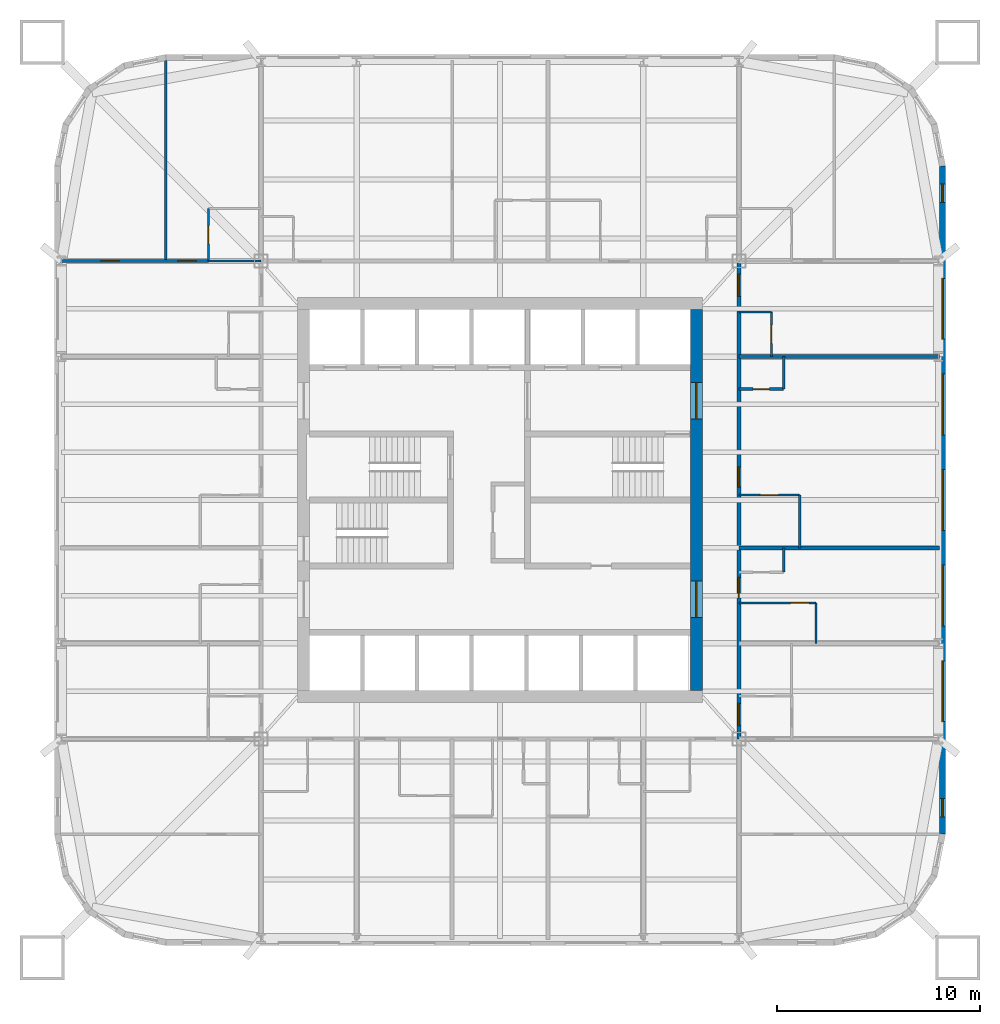
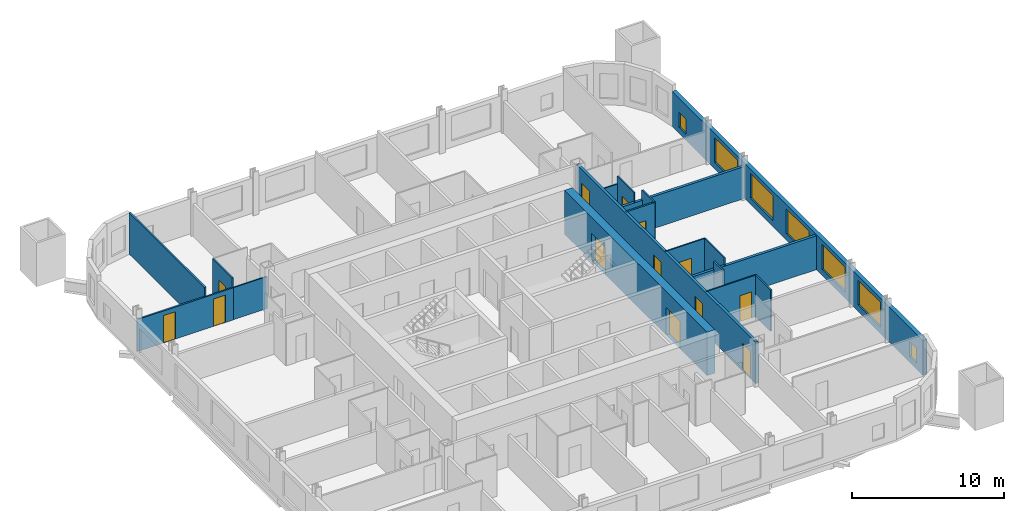
# One storey, part 6 of 9: 18 walls, 13 doors, 7 windows, 20 openings.
"""IFC4 building model written with IfcOpenShell, lengths in metres."""

from ifc_helpers import new_model, si_unit, direction, frame, frame_2d, origin, place, context, subcontext, project, spatial, rectangle, extrude, material, layer, layer_set, type_object, element, fill, save


model = new_model("IFC4")

# Units and contexts
model_context = context("Model", 3, precision=1e-05, world=origin(), true_north=direction((0.0, 1.0)))
body_context = subcontext(model_context, "Body", "Model", "MODEL_VIEW")
ifc_project = project(units=[si_unit("LENGTHUNIT", "METRE"), si_unit("AREAUNIT", "SQUARE_METRE"), si_unit("VOLUMEUNIT", "CUBIC_METRE"), si_unit("PLANEANGLEUNIT", "RADIAN"), si_unit("MASSUNIT", "GRAM", prefix="KILO")], contexts=[model_context])

# Site, building, storey
site_placement = place(None, origin())
site = spatial("IfcSite", under=ifc_project, at=site_placement, CompositionType="ELEMENT")
building_placement = place(site_placement, origin())
building = spatial("IfcBuilding", under=site, at=building_placement, Name="Turquesa Mirador Hotel Tower", CompositionType="ELEMENT")
storey_placement = place(building_placement, frame((0.0, 0.0, 74.0)))
storey = spatial("IfcBuildingStorey", under=building, at=storey_placement, Name="L19", CompositionType="ELEMENT", Elevation=74.0)

# Wall, opening, door
ifc_material_1 = material(Name="Gypsum board on steel studs", Category="steel")
ifc_layer_1 = layer(ifc_material_1, 0.10009765625)
ifc_layer_set_1 = layer_set([ifc_layer_1], Name="BATHROOM WALL 100")
wall_type_1 = type_object("IfcWallType", Name="BATHROOM WALL 100", PredefinedType="PARTITIONING", material=ifc_layer_set_1)
wall_1_placement = place(storey_placement, frame((66.800048828125, 39.919921875, 0.0), z_axis=(0.0, 0.0, 1.0), x_axis=(1.0, 0.0, 0.0)))
wall_1 = element("IfcWall", 1, at=wall_1_placement, inside=storey, type_object=wall_type_1, Name="Partition L19 017", PredefinedType="PARTITIONING", context=body_context, shape_type="SweptSolid", body=[
    extrude(rectangle(XDim=3.800048828125, YDim=0.10009765625, at=frame_2d((1.89990234375, 0.0))), origin(), (0.0, 0.0, 1.0), 3.330078125),
])
opening_1_placement = place(wall_1_placement, frame((2.550048828125, 0.0, 0.0)))
opening_1 = element("IfcOpeningElement", 2, at=opening_1_placement, cuts=wall_1, Name="Opening D02", PredefinedType="OPENING", context=body_context, shape_type="SweptSolid", body=[
    extrude(rectangle(XDim=0.89990234375, YDim=2.10009765625, at=frame_2d((0.449951171875, 1.050048828125))), frame((0.0, 0.06005859375, 0.0), z_axis=(0.0, -1.0, 0.0), x_axis=(1.0, 0.0, 0.0)), (0.0, 0.0, 1.0), 0.1201171875),
])
ifc_material_2 = material(Name="Timber veneered door", Category="wood")
door_type_1 = type_object("IfcDoorType", Name="DOOR 900X2100 EN-SUITE", OperationType="SINGLE_SWING_RIGHT", PredefinedType="DOOR", material=ifc_material_2)
door_1_placement = place(opening_1_placement, origin())
door_1 = element("IfcDoor", 3, at=door_1_placement, inside=storey, type_object=door_type_1, Name="Door 1908B", OperationType="SINGLE_SWING_RIGHT", OverallHeight=2.10009765625, OverallWidth=0.89990234375, PredefinedType="DOOR", context=body_context, shape_type="SweptSolid", body=[
    extrude(rectangle(XDim=0.89990234375, YDim=2.10009765625, at=frame_2d((0.449951171875, 1.050048828125))), frame((0.0, 0.02490234375, 0.0), z_axis=(0.0, -1.0, 0.0), x_axis=(1.0, 0.0, 0.0)), (0.0, 0.0, 1.0), 0.050048828125),
])
fill(opening_1, door_1)

wall_2_placement = place(storey_placement, frame((66.800048828125, 45.239990234375, 0.0), z_axis=(0.0, 0.0, 1.0), x_axis=(1.0, 0.0, 0.0)))
wall_2 = element("IfcWall", 4, at=wall_2_placement, inside=storey, type_object=wall_type_1, Name="Partition L19 023", PredefinedType="PARTITIONING", context=body_context, shape_type="SweptSolid", body=[
    extrude(rectangle(XDim=3.0, YDim=0.10009765625, at=frame_2d((1.5, 0.0))), origin(), (0.0, 0.0, 1.0), 3.330078125),
])
opening_2_placement = place(wall_2_placement, frame((1.050048828125, 0.0, 0.0)))
opening_2 = element("IfcOpeningElement", 5, at=opening_2_placement, cuts=wall_2, Name="Opening D02", PredefinedType="OPENING", context=body_context, shape_type="SweptSolid", body=[
    extrude(rectangle(XDim=0.89990234375, YDim=2.10009765625, at=frame_2d((0.449951171875, 1.050048828125))), frame((0.0, 0.06005859375, 0.0), z_axis=(0.0, -1.0, 0.0), x_axis=(1.0, 0.0, 0.0)), (0.0, 0.0, 1.0), 0.1201171875),
])
door_2_placement = place(opening_2_placement, origin())
door_2 = element("IfcDoor", 6, at=door_2_placement, inside=storey, type_object=door_type_1, Name="Door 1909B", OperationType="SINGLE_SWING_RIGHT", OverallHeight=2.10009765625, OverallWidth=0.89990234375, PredefinedType="DOOR", context=body_context, shape_type="SweptSolid", body=[
    extrude(rectangle(XDim=0.89990234375, YDim=2.10009765625, at=frame_2d((0.449951171875, 1.050048828125))), frame((0.0, 0.02490234375, 0.0), z_axis=(0.0, -1.0, 0.0), x_axis=(1.0, 0.0, 0.0)), (0.0, 0.0, 1.0), 0.050048828125),
])
fill(opening_2, door_2)

# Walls
wall_3_placement = place(storey_placement, frame((40.60009765625, 56.800048828125, 0.0), z_axis=(0.0, 0.0, 1.0), x_axis=(1.0, 0.0, 0.0)))
element("IfcWall", 7, at=wall_3_placement, inside=storey, type_object=wall_type_1, Name="Partition L19 024", PredefinedType="PARTITIONING", context=body_context, shape_type="SweptSolid", body=[
    extrude(rectangle(XDim=2.599853515625, YDim=0.10009765625, at=frame_2d((1.2998046875, 0.0))), origin(), (0.0, 0.0, 1.0), 2.572998046875),
])
wall_4_placement = place(storey_placement, frame((66.800048828125, 54.280029296875, 0.0), z_axis=(0.0, 0.0, 1.0), x_axis=(1.0, 0.0, 0.0)))
element("IfcWall", 8, at=wall_4_placement, inside=storey, type_object=wall_type_1, Name="Partition L19 039", PredefinedType="PARTITIONING", context=body_context, shape_type="SweptSolid", body=[
    extrude(rectangle(XDim=1.599853515625, YDim=0.10009765625, at=frame_2d((0.7998046875, 0.0))), origin(), (0.0, 0.0, 1.0), 2.722900390625),
])

# Wall, opening, door
wall_5_placement = place(storey_placement, frame((40.60009765625, 56.800048828125, 0.0), z_axis=(0.0, 0.0, 1.0), x_axis=(0.0, 1.0, 0.0)))
wall_5 = element("IfcWall", 9, at=wall_5_placement, inside=storey, type_object=wall_type_1, Name="Partition L19 049", PredefinedType="PARTITIONING", context=body_context, shape_type="SweptSolid", body=[
    extrude(rectangle(XDim=2.599853515625, YDim=0.10009765625, at=frame_2d((1.2998046875, 0.0))), origin(), (0.0, 0.0, 1.0), 3.330078125),
])
opening_3_placement = place(wall_5_placement, frame((0.85009765625, 0.0, 0.0)))
opening_3 = element("IfcOpeningElement", 10, at=opening_3_placement, cuts=wall_5, Name="Opening D02", PredefinedType="OPENING", context=body_context, shape_type="SweptSolid", body=[
    extrude(rectangle(XDim=0.89990234375, YDim=2.10009765625, at=frame_2d((0.449951171875, 1.050048828125))), frame((0.0, 0.06005859375, 0.0), z_axis=(0.0, -1.0, 0.0), x_axis=(1.0, 0.0, 0.0)), (0.0, 0.0, 1.0), 0.1201171875),
])
door_3_placement = place(opening_3_placement, origin())
door_3 = element("IfcDoor", 11, at=door_3_placement, inside=storey, type_object=door_type_1, Name="Door 1913B", OperationType="SINGLE_SWING_RIGHT", OverallHeight=2.10009765625, OverallWidth=0.89990234375, PredefinedType="DOOR", context=body_context, shape_type="SweptSolid", body=[
    extrude(rectangle(XDim=0.89990234375, YDim=2.10009765625, at=frame_2d((0.449951171875, 1.050048828125))), frame((0.0, 0.02490234375, 0.0), z_axis=(0.0, -1.0, 0.0), x_axis=(1.0, 0.0, 0.0)), (0.0, 0.0, 1.0), 0.050048828125),
])
fill(opening_3, door_3)

wall_6_placement = place(storey_placement, frame((68.39990234375, 52.080078125, 0.0), z_axis=(0.0, 0.0, 1.0), x_axis=(0.0, 1.0, 0.0)))
wall_6 = element("IfcWall", 12, at=wall_6_placement, inside=storey, type_object=wall_type_1, Name="Partition L19 064", PredefinedType="PARTITIONING", context=body_context, shape_type="SweptSolid", body=[
    extrude(rectangle(XDim=2.199951171875, YDim=0.10009765625, at=frame_2d((1.10009765625, 0.0))), origin(), (0.0, 0.0, 1.0), 3.330078125),
])
opening_4_placement = place(wall_6_placement, frame((0.64990234375, 0.0, 0.0)))
opening_4 = element("IfcOpeningElement", 13, at=opening_4_placement, cuts=wall_6, Name="Opening D06", PredefinedType="OPENING", context=body_context, shape_type="SweptSolid", body=[
    extrude(rectangle(XDim=0.89990234375, YDim=2.10009765625, at=frame_2d((0.449951171875, 1.050048828125))), frame((0.0, 0.06005859375, 0.0), z_axis=(0.0, -1.0, 0.0), x_axis=(1.0, 0.0, 0.0)), (0.0, 0.0, 1.0), 0.1201171875),
])
ifc_material_3 = material(Name="Laminate door", Category="wood")
door_type_2 = type_object("IfcDoorType", Name="DOOR 900X2100 WC", OperationType="SINGLE_SWING_LEFT", PredefinedType="DOOR", material=ifc_material_3)
door_4_placement = place(opening_4_placement, origin())
door_4 = element("IfcDoor", 14, at=door_4_placement, inside=storey, type_object=door_type_2, Name="Door 1912W", OperationType="SINGLE_SWING_LEFT", OverallHeight=2.10009765625, OverallWidth=0.89990234375, PredefinedType="DOOR", context=body_context, shape_type="SweptSolid", body=[
    extrude(rectangle(XDim=0.89990234375, YDim=2.10009765625, at=frame_2d((0.449951171875, 1.050048828125))), frame((0.0, 0.02490234375, 0.0), z_axis=(0.0, -1.0, 0.0), x_axis=(1.0, 0.0, 0.0)), (0.0, 0.0, 1.0), 0.050048828125),
])
fill(opening_4, door_4)

# Walls
wall_7_placement = place(storey_placement, frame((69.800048828125, 42.639892578125, 0.0), z_axis=(0.0, 0.0, 1.0), x_axis=(0.0, 1.0, 0.0)))
element("IfcWall", 15, at=wall_7_placement, inside=storey, type_object=wall_type_1, Name="Partition L19 070", PredefinedType="PARTITIONING", context=body_context, shape_type="SweptSolid", body=[
    extrude(rectangle(XDim=2.60009765625, YDim=0.10009765625, at=frame_2d((1.300048828125, 0.0))), origin(), (0.0, 0.0, 1.0), 3.330078125),
])
wall_8_placement = place(storey_placement, frame((70.60009765625, 37.919921875, 0.0), z_axis=(0.0, 0.0, 1.0), x_axis=(0.0, 1.0, 0.0)))
element("IfcWall", 16, at=wall_8_placement, inside=storey, type_object=wall_type_1, Name="Partition L19 071", PredefinedType="PARTITIONING", context=body_context, shape_type="SweptSolid", body=[
    extrude(rectangle(XDim=2.0, YDim=0.10009765625, at=frame_2d((1.0, 0.0))), origin(), (0.0, 0.0, 1.0), 3.330078125),
])

# Wall, openings, doors
ifc_material_4 = material(Name="Concrete C50/60", Category="concrete")
ifc_layer_2 = layer(ifc_material_4, 0.60009765625)
ifc_layer_set_2 = layer_set([ifc_layer_2], Name="CORE WALL 600")
wall_type_2 = type_object("IfcWallType", Name="CORE WALL 600", PredefinedType="SHEAR", material=ifc_layer_set_2)
wall_9_placement = place(storey_placement, frame((64.699951171875, 35.60009765625, 0.0), z_axis=(0.0, 0.0, 1.0), x_axis=(0.0, 1.0, 0.0)))
wall_9 = element("IfcWall", 17, at=wall_9_placement, inside=storey, type_object=wall_type_2, Name="Core wall E", PredefinedType="SHEAR", context=body_context, shape_type="SweptSolid", body=[
    extrude(rectangle(XDim=18.7998046875, YDim=0.60009765625, at=frame_2d((9.39990234375, 0.0))), origin(), (0.0, 0.0, 1.0), 3.5),
])
opening_5_placement = place(wall_9_placement, frame((13.39990234375, 0.0, 0.0)))
opening_5 = element("IfcOpeningElement", 18, at=opening_5_placement, cuts=wall_9, Name="Opening D04", PredefinedType="OPENING", context=body_context, shape_type="SweptSolid", body=[
    extrude(rectangle(XDim=1.800048828125, YDim=2.199951171875, at=frame_2d((0.89990234375, 1.10009765625))), frame((0.0, 0.31005859375, 0.0), z_axis=(0.0, -1.0, 0.0), x_axis=(1.0, 0.0, 0.0)), (0.0, 0.0, 1.0), 0.6201171875),
])
opening_6_placement = place(wall_9_placement, frame((3.60009765625, 0.0, 0.0)))
opening_6 = element("IfcOpeningElement", 19, at=opening_6_placement, cuts=wall_9, Name="Opening D04", PredefinedType="OPENING", context=body_context, shape_type="SweptSolid", body=[
    extrude(rectangle(XDim=1.800048828125, YDim=2.199951171875, at=frame_2d((0.89990234375, 1.10009765625))), frame((0.0, 0.31005859375, 0.0), z_axis=(0.0, -1.0, 0.0), x_axis=(1.0, 0.0, 0.0)), (0.0, 0.0, 1.0), 0.6201171875),
])
ifc_material_5 = material(Name="Steel fire door pair", Category="steel")
door_type_3 = type_object("IfcDoorType", Name="DOOR 1800X2200 PAIR", OperationType="DOUBLE_DOOR_SINGLE_SWING", PredefinedType="DOOR", material=ifc_material_5)
door_5_placement = place(opening_5_placement, origin())
door_5 = element("IfcDoor", 20, at=door_5_placement, inside=storey, type_object=door_type_3, Name="Firefighting lobby door", OperationType="DOUBLE_DOOR_SINGLE_SWING", OverallHeight=2.199951171875, OverallWidth=1.800048828125, PredefinedType="DOOR", context=body_context, shape_type="SweptSolid", body=[
    extrude(rectangle(XDim=1.800048828125, YDim=2.199951171875, at=frame_2d((0.89990234375, 1.10009765625))), frame((0.0, 0.02490234375, 0.0), z_axis=(0.0, -1.0, 0.0), x_axis=(1.0, 0.0, 0.0)), (0.0, 0.0, 1.0), 0.050048828125),
])
fill(opening_5, door_5)
door_6_placement = place(opening_6_placement, origin())
door_6 = element("IfcDoor", 21, at=door_6_placement, inside=storey, type_object=door_type_3, Name="South lift lobby door", OperationType="DOUBLE_DOOR_SINGLE_SWING", OverallHeight=2.199951171875, OverallWidth=1.800048828125, PredefinedType="DOOR", context=body_context, shape_type="SweptSolid", body=[
    extrude(rectangle(XDim=1.800048828125, YDim=2.199951171875, at=frame_2d((0.89990234375, 1.10009765625))), frame((0.0, 0.02490234375, 0.0), z_axis=(0.0, -1.0, 0.0), x_axis=(1.0, 0.0, 0.0)), (0.0, 0.0, 1.0), 0.050048828125),
])
fill(opening_6, door_6)

ifc_material_6 = material(Name="Fire-rated gypsum board on steel studs", Category="steel")
ifc_layer_3 = layer(ifc_material_6, 0.199951171875)
ifc_layer_set_3 = layer_set([ifc_layer_3], Name="CORRIDOR WALL 200")
wall_type_3 = type_object("IfcWallType", Name="CORRIDOR WALL 200", PredefinedType="PARTITIONING", material=ifc_layer_set_3)
wall_10_placement = place(storey_placement, frame((66.800048828125, 33.199951171875, 0.0), z_axis=(0.0, 0.0, 1.0), x_axis=(0.0, 1.0, 0.0)))
wall_10 = element("IfcWall", 22, at=wall_10_placement, inside=storey, type_object=wall_type_3, Name="Partition L19 061", PredefinedType="PARTITIONING", context=body_context, shape_type="SweptSolid", body=[
    extrude(rectangle(XDim=23.60009765625, YDim=0.199951171875, at=frame_2d((11.800048828125, 0.0))), origin(), (0.0, 0.0, 1.0), 3.330078125),
])
opening_7_placement = place(wall_10_placement, frame((6.97998046875, 0.0, 0.0)))
opening_7 = element("IfcOpeningElement", 23, at=opening_7_placement, cuts=wall_10, Name="Opening D01", PredefinedType="OPENING", context=body_context, shape_type="SweptSolid", body=[
    extrude(rectangle(XDim=1.0, YDim=2.199951171875, at=frame_2d((0.5, 1.10009765625))), frame((0.0, 0.10986328125, 0.0), z_axis=(0.0, -1.0, 0.0), x_axis=(1.0, 0.0, 0.0)), (0.0, 0.0, 1.0), 0.219970703125),
])
opening_8_placement = place(wall_10_placement, frame((12.43994140625, 0.0, 0.0)))
opening_8 = element("IfcOpeningElement", 24, at=opening_8_placement, cuts=wall_10, Name="Opening D01", PredefinedType="OPENING", context=body_context, shape_type="SweptSolid", body=[
    extrude(rectangle(XDim=1.0, YDim=2.199951171875, at=frame_2d((0.5, 1.10009765625))), frame((0.0, 0.10986328125, 0.0), z_axis=(0.0, -1.0, 0.0), x_axis=(1.0, 0.0, 0.0)), (0.0, 0.0, 1.0), 0.219970703125),
])
opening_9_placement = place(wall_10_placement, frame((21.85009765625, 0.0, 0.0)))
opening_9 = element("IfcOpeningElement", 25, at=opening_9_placement, cuts=wall_10, Name="Opening D15", PredefinedType="OPENING", context=body_context, shape_type="SweptSolid", body=[
    extrude(rectangle(XDim=1.10009765625, YDim=2.199951171875, at=frame_2d((0.550048828125, 1.10009765625))), frame((0.0, 0.10986328125, 0.0), z_axis=(0.0, -1.0, 0.0), x_axis=(1.0, 0.0, 0.0)), (0.0, 0.0, 1.0), 0.219970703125),
])
opening_10_placement = place(wall_10_placement, frame((0.659912109375, 0.0, 0.0)))
opening_10 = element("IfcOpeningElement", 26, at=opening_10_placement, cuts=wall_10, Name="Opening D15", PredefinedType="OPENING", context=body_context, shape_type="SweptSolid", body=[
    extrude(rectangle(XDim=1.10009765625, YDim=2.199951171875, at=frame_2d((0.550048828125, 1.10009765625))), frame((0.0, 0.10986328125, 0.0), z_axis=(0.0, -1.0, 0.0), x_axis=(1.0, 0.0, 0.0)), (0.0, 0.0, 1.0), 0.219970703125),
])
ifc_material_7 = material(Name="Timber veneered fire door", Category="wood")
door_type_4 = type_object("IfcDoorType", Name="DOOR 1000X2200 GUEST ENTRY", OperationType="SINGLE_SWING_LEFT", PredefinedType="DOOR", material=ifc_material_7)
door_7_placement = place(opening_7_placement, origin())
door_7 = element("IfcDoor", 27, at=door_7_placement, inside=storey, type_object=door_type_4, Name="Door 1908", OperationType="SINGLE_SWING_LEFT", OverallHeight=2.199951171875, OverallWidth=1.0, PredefinedType="DOOR", context=body_context, shape_type="SweptSolid", body=[
    extrude(rectangle(XDim=1.0, YDim=2.199951171875, at=frame_2d((0.5, 1.10009765625))), frame((0.0, 0.02490234375, 0.0), z_axis=(0.0, -1.0, 0.0), x_axis=(1.0, 0.0, 0.0)), (0.0, 0.0, 1.0), 0.050048828125),
])
fill(opening_7, door_7)
door_8_placement = place(opening_8_placement, origin())
door_8 = element("IfcDoor", 28, at=door_8_placement, inside=storey, type_object=door_type_4, Name="Door 1909", OperationType="SINGLE_SWING_LEFT", OverallHeight=2.199951171875, OverallWidth=1.0, PredefinedType="DOOR", context=body_context, shape_type="SweptSolid", body=[
    extrude(rectangle(XDim=1.0, YDim=2.199951171875, at=frame_2d((0.5, 1.10009765625))), frame((0.0, 0.02490234375, 0.0), z_axis=(0.0, -1.0, 0.0), x_axis=(1.0, 0.0, 0.0)), (0.0, 0.0, 1.0), 0.050048828125),
])
fill(opening_8, door_8)
ifc_material_8 = material(Name="Timber veneered fire door", Category="wood")
door_type_5 = type_object("IfcDoorType", Name="DOOR 1100X2200 SUITE ENTRY", OperationType="SINGLE_SWING_LEFT", PredefinedType="DOOR", material=ifc_material_8)
door_9_placement = place(opening_9_placement, origin())
door_9 = element("IfcDoor", 29, at=door_9_placement, inside=storey, type_object=door_type_5, Name="Door 1912", OperationType="SINGLE_SWING_LEFT", OverallHeight=2.199951171875, OverallWidth=1.10009765625, PredefinedType="DOOR", context=body_context, shape_type="SweptSolid", body=[
    extrude(rectangle(XDim=1.10009765625, YDim=2.199951171875, at=frame_2d((0.550048828125, 1.10009765625))), frame((0.0, 0.02490234375, 0.0), z_axis=(0.0, -1.0, 0.0), x_axis=(1.0, 0.0, 0.0)), (0.0, 0.0, 1.0), 0.050048828125),
])
fill(opening_9, door_9)
door_10_placement = place(opening_10_placement, origin())
door_10 = element("IfcDoor", 30, at=door_10_placement, inside=storey, type_object=door_type_5, Name="Door 1915H", OperationType="SINGLE_SWING_LEFT", OverallHeight=2.199951171875, OverallWidth=1.10009765625, PredefinedType="DOOR", context=body_context, shape_type="SweptSolid", body=[
    extrude(rectangle(XDim=1.10009765625, YDim=2.199951171875, at=frame_2d((0.550048828125, 1.10009765625))), frame((0.0, 0.02490234375, 0.0), z_axis=(0.0, -1.0, 0.0), x_axis=(1.0, 0.0, 0.0)), (0.0, 0.0, 1.0), 0.050048828125),
])
fill(opening_10, door_10)

# Wall, openings, windows
ifc_material_9 = material(Name="Limestone cladding on concrete block", Category="masonry")
ifc_layer_4 = layer(ifc_material_9, 0.300048828125)
ifc_layer_set_4 = layer_set([ifc_layer_4], Name="FACADE WALL 300 STONE SCREEN")
wall_type_4 = type_object("IfcWallType", Name="FACADE WALL 300 STONE SCREEN", PredefinedType="SOLIDWALL", material=ifc_layer_set_4)
wall_11_placement = place(storey_placement, frame((76.85009765625, 28.5, 0.0), z_axis=(0.0, 0.0, 1.0), x_axis=(0.0, 1.0, 0.0)))
wall_11 = element("IfcWall", 31, at=wall_11_placement, inside=storey, type_object=wall_type_4, Name="Facade wall L19 04", PredefinedType="SOLIDWALL", context=body_context, shape_type="SweptSolid", body=[
    extrude(rectangle(XDim=33.0, YDim=0.300048828125, at=frame_2d((16.5, 0.0))), origin(), (0.0, 0.0, 1.0), 2.830078125),
])
opening_11_placement = place(wall_11_placement, frame((0.85009765625, 0.0, 0.5)))
opening_11 = element("IfcOpeningElement", 32, at=opening_11_placement, cuts=wall_11, Name="Opening WN36", PredefinedType="OPENING", context=body_context, shape_type="SweptSolid", body=[
    extrude(rectangle(XDim=0.89990234375, YDim=1.199951171875, at=frame_2d((0.449951171875, 0.60009765625))), frame((0.0, 0.159912109375, 0.0), z_axis=(0.0, -1.0, 0.0), x_axis=(1.0, 0.0, 0.0)), (0.0, 0.0, 1.0), 0.320068359375),
])
opening_12_placement = place(wall_11_placement, frame((5.56005859375, 0.0, 0.5)))
opening_12 = element("IfcOpeningElement", 33, at=opening_12_placement, cuts=wall_11, Name="Opening WN1", PredefinedType="OPENING", context=body_context, shape_type="SweptSolid", body=[
    extrude(rectangle(XDim=3.0, YDim=2.0, at=frame_2d((1.5, 1.0))), frame((0.0, 0.159912109375, 0.0), z_axis=(0.0, -1.0, 0.0), x_axis=(1.0, 0.0, 0.0)), (0.0, 0.0, 1.0), 0.320068359375),
])
opening_13_placement = place(wall_11_placement, frame((10.280029296875, 0.0, 0.5)))
opening_13 = element("IfcOpeningElement", 34, at=opening_13_placement, cuts=wall_11, Name="Opening WN1", PredefinedType="OPENING", context=body_context, shape_type="SweptSolid", body=[
    extrude(rectangle(XDim=3.0, YDim=2.0, at=frame_2d((1.5, 1.0))), frame((0.0, 0.159912109375, 0.0), z_axis=(0.0, -1.0, 0.0), x_axis=(1.0, 0.0, 0.0)), (0.0, 0.0, 1.0), 0.320068359375),
])
opening_14_placement = place(wall_11_placement, frame((15.0, 0.0, 0.5)))
opening_14 = element("IfcOpeningElement", 35, at=opening_14_placement, cuts=wall_11, Name="Opening WN1", PredefinedType="OPENING", context=body_context, shape_type="SweptSolid", body=[
    extrude(rectangle(XDim=3.0, YDim=2.0, at=frame_2d((1.5, 1.0))), frame((0.0, 0.159912109375, 0.0), z_axis=(0.0, -1.0, 0.0), x_axis=(1.0, 0.0, 0.0)), (0.0, 0.0, 1.0), 0.320068359375),
])
opening_15_placement = place(wall_11_placement, frame((19.719970703125, 0.0, 0.5)))
opening_15 = element("IfcOpeningElement", 36, at=opening_15_placement, cuts=wall_11, Name="Opening WN1", PredefinedType="OPENING", context=body_context, shape_type="SweptSolid", body=[
    extrude(rectangle(XDim=3.0, YDim=2.0, at=frame_2d((1.5, 1.0))), frame((0.0, 0.159912109375, 0.0), z_axis=(0.0, -1.0, 0.0), x_axis=(1.0, 0.0, 0.0)), (0.0, 0.0, 1.0), 0.320068359375),
])
opening_16_placement = place(wall_11_placement, frame((24.43994140625, 0.0, 0.5)))
opening_16 = element("IfcOpeningElement", 37, at=opening_16_placement, cuts=wall_11, Name="Opening WN1", PredefinedType="OPENING", context=body_context, shape_type="SweptSolid", body=[
    extrude(rectangle(XDim=3.0, YDim=2.0, at=frame_2d((1.5, 1.0))), frame((0.0, 0.159912109375, 0.0), z_axis=(0.0, -1.0, 0.0), x_axis=(1.0, 0.0, 0.0)), (0.0, 0.0, 1.0), 0.320068359375),
])
opening_17_placement = place(wall_11_placement, frame((31.199951171875, 0.0, 0.5)))
opening_17 = element("IfcOpeningElement", 38, at=opening_17_placement, cuts=wall_11, Name="Opening WN36", PredefinedType="OPENING", context=body_context, shape_type="SweptSolid", body=[
    extrude(rectangle(XDim=0.89990234375, YDim=1.199951171875, at=frame_2d((0.449951171875, 0.60009765625))), frame((0.0, 0.159912109375, 0.0), z_axis=(0.0, -1.0, 0.0), x_axis=(1.0, 0.0, 0.0)), (0.0, 0.0, 1.0), 0.320068359375),
])
ifc_material_10 = material(Name="Ceramic-fritted laminated glass", Category="glass")
window_type_1 = type_object("IfcWindowType", Name="FRITTED WINDOW 3000X2000", PartitioningType="DOUBLE_PANEL_HORIZONTAL", PredefinedType="WINDOW", material=ifc_material_10)
window_1_placement = place(opening_12_placement, origin())
window_1 = element("IfcWindow", 39, at=window_1_placement, inside=storey, type_object=window_type_1, Name="Window L19", OverallHeight=2.0, OverallWidth=3.0, PartitioningType="SINGLE_PANEL", PredefinedType="WINDOW", context=body_context, shape_type="SweptSolid", body=[
    extrude(rectangle(XDim=3.0, YDim=2.0, at=frame_2d((1.5, 1.0))), frame((0.0, 0.030029296875, 0.0), z_axis=(0.0, -1.0, 0.0), x_axis=(1.0, 0.0, 0.0)), (0.0, 0.0, 1.0), 0.06005859375),
])
fill(opening_12, window_1)
window_2_placement = place(opening_13_placement, origin())
window_2 = element("IfcWindow", 40, at=window_2_placement, inside=storey, type_object=window_type_1, Name="Window L19", OverallHeight=2.0, OverallWidth=3.0, PartitioningType="SINGLE_PANEL", PredefinedType="WINDOW", context=body_context, shape_type="SweptSolid", body=[
    extrude(rectangle(XDim=3.0, YDim=2.0, at=frame_2d((1.5, 1.0))), frame((0.0, 0.030029296875, 0.0), z_axis=(0.0, -1.0, 0.0), x_axis=(1.0, 0.0, 0.0)), (0.0, 0.0, 1.0), 0.06005859375),
])
fill(opening_13, window_2)
window_3_placement = place(opening_14_placement, origin())
window_3 = element("IfcWindow", 41, at=window_3_placement, inside=storey, type_object=window_type_1, Name="Window L19", OverallHeight=2.0, OverallWidth=3.0, PartitioningType="SINGLE_PANEL", PredefinedType="WINDOW", context=body_context, shape_type="SweptSolid", body=[
    extrude(rectangle(XDim=3.0, YDim=2.0, at=frame_2d((1.5, 1.0))), frame((0.0, 0.030029296875, 0.0), z_axis=(0.0, -1.0, 0.0), x_axis=(1.0, 0.0, 0.0)), (0.0, 0.0, 1.0), 0.06005859375),
])
fill(opening_14, window_3)
window_4_placement = place(opening_15_placement, origin())
window_4 = element("IfcWindow", 42, at=window_4_placement, inside=storey, type_object=window_type_1, Name="Window L19", OverallHeight=2.0, OverallWidth=3.0, PartitioningType="SINGLE_PANEL", PredefinedType="WINDOW", context=body_context, shape_type="SweptSolid", body=[
    extrude(rectangle(XDim=3.0, YDim=2.0, at=frame_2d((1.5, 1.0))), frame((0.0, 0.030029296875, 0.0), z_axis=(0.0, -1.0, 0.0), x_axis=(1.0, 0.0, 0.0)), (0.0, 0.0, 1.0), 0.06005859375),
])
fill(opening_15, window_4)
window_5_placement = place(opening_16_placement, origin())
window_5 = element("IfcWindow", 43, at=window_5_placement, inside=storey, type_object=window_type_1, Name="Window L19", OverallHeight=2.0, OverallWidth=3.0, PartitioningType="SINGLE_PANEL", PredefinedType="WINDOW", context=body_context, shape_type="SweptSolid", body=[
    extrude(rectangle(XDim=3.0, YDim=2.0, at=frame_2d((1.5, 1.0))), frame((0.0, 0.030029296875, 0.0), z_axis=(0.0, -1.0, 0.0), x_axis=(1.0, 0.0, 0.0)), (0.0, 0.0, 1.0), 0.06005859375),
])
fill(opening_16, window_5)
ifc_material_11 = material(Name="Ceramic-fritted laminated glass", Category="glass")
window_type_2 = type_object("IfcWindowType", Name="FRITTED WINDOW 900X1200", PartitioningType="DOUBLE_PANEL_HORIZONTAL", PredefinedType="WINDOW", material=ifc_material_11)
window_6_placement = place(opening_11_placement, origin())
window_6 = element("IfcWindow", 44, at=window_6_placement, inside=storey, type_object=window_type_2, Name="Window L19", OverallHeight=1.199951171875, OverallWidth=0.89990234375, PartitioningType="SINGLE_PANEL", PredefinedType="WINDOW", context=body_context, shape_type="SweptSolid", body=[
    extrude(rectangle(XDim=0.89990234375, YDim=1.199951171875, at=frame_2d((0.449951171875, 0.60009765625))), frame((0.0, 0.030029296875, 0.0), z_axis=(0.0, -1.0, 0.0), x_axis=(1.0, 0.0, 0.0)), (0.0, 0.0, 1.0), 0.06005859375),
])
fill(opening_11, window_6)
window_7_placement = place(opening_17_placement, origin())
window_7 = element("IfcWindow", 45, at=window_7_placement, inside=storey, type_object=window_type_2, Name="Window L19", OverallHeight=1.199951171875, OverallWidth=0.89990234375, PartitioningType="SINGLE_PANEL", PredefinedType="WINDOW", context=body_context, shape_type="SweptSolid", body=[
    extrude(rectangle(XDim=0.89990234375, YDim=1.199951171875, at=frame_2d((0.449951171875, 0.60009765625))), frame((0.0, 0.030029296875, 0.0), z_axis=(0.0, -1.0, 0.0), x_axis=(1.0, 0.0, 0.0)), (0.0, 0.0, 1.0), 0.06005859375),
])
fill(opening_17, window_7)

# Walls
ifc_material_12 = material(Name="Fire-rated gypsum board on steel studs", Category="steel")
ifc_layer_5 = layer(ifc_material_12, 0.199951171875)
ifc_layer_set_5 = layer_set([ifc_layer_5], Name="PARTY WALL 200")
wall_type_5 = type_object("IfcWallType", Name="PARTY WALL 200", PredefinedType="PARTITIONING", material=ifc_layer_set_5)
wall_12_placement = place(storey_placement, frame((66.800048828125, 42.639892578125, 0.0), z_axis=(0.0, 0.0, 1.0), x_axis=(1.0, 0.0, 0.0)))
element("IfcWall", 46, at=wall_12_placement, inside=storey, type_object=wall_type_5, Name="Partition L19 014", PredefinedType="PARTITIONING", context=body_context, shape_type="SweptSolid", body=[
    extrude(rectangle(XDim=9.89990234375, YDim=0.199951171875, at=frame_2d((4.949951171875, 0.0))), origin(), (0.0, 0.0, 1.0), 2.722900390625),
])
wall_13_placement = place(storey_placement, frame((66.800048828125, 52.080078125, 0.0), z_axis=(0.0, 0.0, 1.0), x_axis=(1.0, 0.0, 0.0)))
element("IfcWall", 47, at=wall_13_placement, inside=storey, type_object=wall_type_5, Name="Partition L19 037", PredefinedType="PARTITIONING", context=body_context, shape_type="SweptSolid", body=[
    extrude(rectangle(XDim=9.89990234375, YDim=0.199951171875, at=frame_2d((4.949951171875, 0.0))), origin(), (0.0, 0.0, 1.0), 2.572998046875),
])

# Wall, openings, doors
ifc_material_13 = material(Name="Acoustic gypsum board on steel studs", Category="steel")
ifc_layer_6 = layer(ifc_material_13, 0.125)
ifc_layer_set_6 = layer_set([ifc_layer_6], Name="SUITE PARTITION 125")
wall_type_6 = type_object("IfcWallType", Name="SUITE PARTITION 125", PredefinedType="PARTITIONING", material=ifc_layer_set_6)
wall_14_placement = place(storey_placement, frame((33.300048828125, 56.800048828125, 0.0), z_axis=(0.0, 0.0, 1.0), x_axis=(1.0, 0.0, 0.0)))
wall_14 = element("IfcWall", 48, at=wall_14_placement, inside=storey, type_object=wall_type_6, Name="Partition L19 027", PredefinedType="PARTITIONING", context=body_context, shape_type="SweptSolid", body=[
    extrude(rectangle(XDim=7.300048828125, YDim=0.125, at=frame_2d((3.64990234375, 0.0))), origin(), (0.0, 0.0, 1.0), 2.572998046875),
])
opening_18_placement = place(wall_14_placement, frame((5.800048828125, 0.0, 0.0)))
opening_18 = element("IfcOpeningElement", 49, at=opening_18_placement, cuts=wall_14, Name="Opening D17", PredefinedType="OPENING", context=body_context, shape_type="SweptSolid", body=[
    extrude(rectangle(XDim=0.89990234375, YDim=2.199951171875, at=frame_2d((0.449951171875, 1.10009765625))), frame((0.0, 0.072509765625, 0.0), z_axis=(0.0, -1.0, 0.0), x_axis=(1.0, 0.0, 0.0)), (0.0, 0.0, 1.0), 0.14501953125),
])
opening_19_placement = place(wall_14_placement, frame((2.0, 0.0, 0.0)))
opening_19 = element("IfcOpeningElement", 50, at=opening_19_placement, cuts=wall_14, Name="Opening D17", PredefinedType="OPENING", context=body_context, shape_type="SweptSolid", body=[
    extrude(rectangle(XDim=0.89990234375, YDim=2.199951171875, at=frame_2d((0.449951171875, 1.10009765625))), frame((0.0, 0.072509765625, 0.0), z_axis=(0.0, -1.0, 0.0), x_axis=(1.0, 0.0, 0.0)), (0.0, 0.0, 1.0), 0.14501953125),
])
ifc_material_14 = material(Name="Timber veneered door", Category="wood")
door_type_6 = type_object("IfcDoorType", Name="DOOR 900X2200 SUITE INTERNAL", OperationType="SINGLE_SWING_LEFT", PredefinedType="DOOR", material=ifc_material_14)
door_11_placement = place(opening_18_placement, origin())
door_11 = element("IfcDoor", 51, at=door_11_placement, inside=storey, type_object=door_type_6, Name="Door 1913R", OperationType="SINGLE_SWING_LEFT", OverallHeight=2.199951171875, OverallWidth=0.89990234375, PredefinedType="DOOR", context=body_context, shape_type="SweptSolid", body=[
    extrude(rectangle(XDim=0.89990234375, YDim=2.199951171875, at=frame_2d((0.449951171875, 1.10009765625))), frame((0.0, 0.02490234375, 0.0), z_axis=(0.0, -1.0, 0.0), x_axis=(1.0, 0.0, 0.0)), (0.0, 0.0, 1.0), 0.050048828125),
])
fill(opening_18, door_11)
door_12_placement = place(opening_19_placement, origin())
door_12 = element("IfcDoor", 52, at=door_12_placement, inside=storey, type_object=door_type_6, Name="Door 1913S", OperationType="SINGLE_SWING_LEFT", OverallHeight=2.199951171875, OverallWidth=0.89990234375, PredefinedType="DOOR", context=body_context, shape_type="SweptSolid", body=[
    extrude(rectangle(XDim=0.89990234375, YDim=2.199951171875, at=frame_2d((0.449951171875, 1.10009765625))), frame((0.0, 0.02490234375, 0.0), z_axis=(0.0, -1.0, 0.0), x_axis=(1.0, 0.0, 0.0)), (0.0, 0.0, 1.0), 0.050048828125),
])
fill(opening_19, door_12)

# Wall, opening, door
wall_15_placement = place(storey_placement, frame((66.800048828125, 50.47998046875, 0.0), z_axis=(0.0, 0.0, 1.0), x_axis=(1.0, 0.0, 0.0)))
wall_15 = element("IfcWall", 53, at=wall_15_placement, inside=storey, type_object=wall_type_6, Name="Partition L19 035", PredefinedType="PARTITIONING", context=body_context, shape_type="SweptSolid", body=[
    extrude(rectangle(XDim=2.199951171875, YDim=0.125, at=frame_2d((1.10009765625, 0.0))), origin(), (0.0, 0.0, 1.0), 3.330078125),
])
opening_20_placement = place(wall_15_placement, frame((0.699951171875, 0.0, 0.0)))
opening_20 = element("IfcOpeningElement", 54, at=opening_20_placement, cuts=wall_15, Name="Opening D20", PredefinedType="OPENING", context=body_context, shape_type="SweptSolid", body=[
    extrude(rectangle(XDim=0.800048828125, YDim=2.10009765625, at=frame_2d((0.39990234375, 1.050048828125))), frame((0.0, 0.072509765625, 0.0), z_axis=(0.0, -1.0, 0.0), x_axis=(1.0, 0.0, 0.0)), (0.0, 0.0, 1.0), 0.14501953125),
])
ifc_material_15 = material(Name="Timber veneered sliding door", Category="wood")
door_type_7 = type_object("IfcDoorType", Name="DOOR 800X2100 WARDROBE", OperationType="SLIDING_TO_LEFT", PredefinedType="DOOR", material=ifc_material_15)
door_13_placement = place(opening_20_placement, origin())
door_13 = element("IfcDoor", 55, at=door_13_placement, inside=storey, type_object=door_type_7, Name="Door 1909W", OperationType="SLIDING_TO_LEFT", OverallHeight=2.10009765625, OverallWidth=0.800048828125, PredefinedType="DOOR", context=body_context, shape_type="SweptSolid", body=[
    extrude(rectangle(XDim=0.800048828125, YDim=2.10009765625, at=frame_2d((0.39990234375, 1.050048828125))), frame((0.0, 0.02490234375, 0.0), z_axis=(0.0, -1.0, 0.0), x_axis=(1.0, 0.0, 0.0)), (0.0, 0.0, 1.0), 0.050048828125),
])
fill(opening_20, door_13)

# Walls
wall_16_placement = place(storey_placement, frame((38.5, 56.800048828125, 0.0), z_axis=(0.0, 0.0, 1.0), x_axis=(0.0, 1.0, 0.0)))
element("IfcWall", 56, at=wall_16_placement, inside=storey, type_object=wall_type_6, Name="Partition L19 053", PredefinedType="PARTITIONING", context=body_context, shape_type="SweptSolid", body=[
    extrude(rectangle(XDim=9.89404296875, YDim=0.125, at=frame_2d((4.947021484375, 0.0))), origin(), (0.0, 0.0, 1.0), 3.330078125),
])
wall_17_placement = place(storey_placement, frame((69.0, 41.43994140625, 0.0), z_axis=(0.0, 0.0, 1.0), x_axis=(0.0, 1.0, 0.0)))
element("IfcWall", 57, at=wall_17_placement, inside=storey, type_object=wall_type_6, Name="Partition L19 065", PredefinedType="PARTITIONING", context=body_context, shape_type="SweptSolid", body=[
    extrude(rectangle(XDim=1.199951171875, YDim=0.125, at=frame_2d((0.60009765625, 0.0))), origin(), (0.0, 0.0, 1.0), 3.330078125),
])
wall_18_placement = place(storey_placement, frame((69.0, 50.47998046875, 0.0), z_axis=(0.0, 0.0, 1.0), x_axis=(0.0, 1.0, 0.0)))
element("IfcWall", 58, at=wall_18_placement, inside=storey, type_object=wall_type_6, Name="Partition L19 066", PredefinedType="PARTITIONING", context=body_context, shape_type="SweptSolid", body=[
    extrude(rectangle(XDim=1.60009765625, YDim=0.125, at=frame_2d((0.800048828125, 0.0))), origin(), (0.0, 0.0, 1.0), 3.330078125),
])

save(model, "model.ifc")
